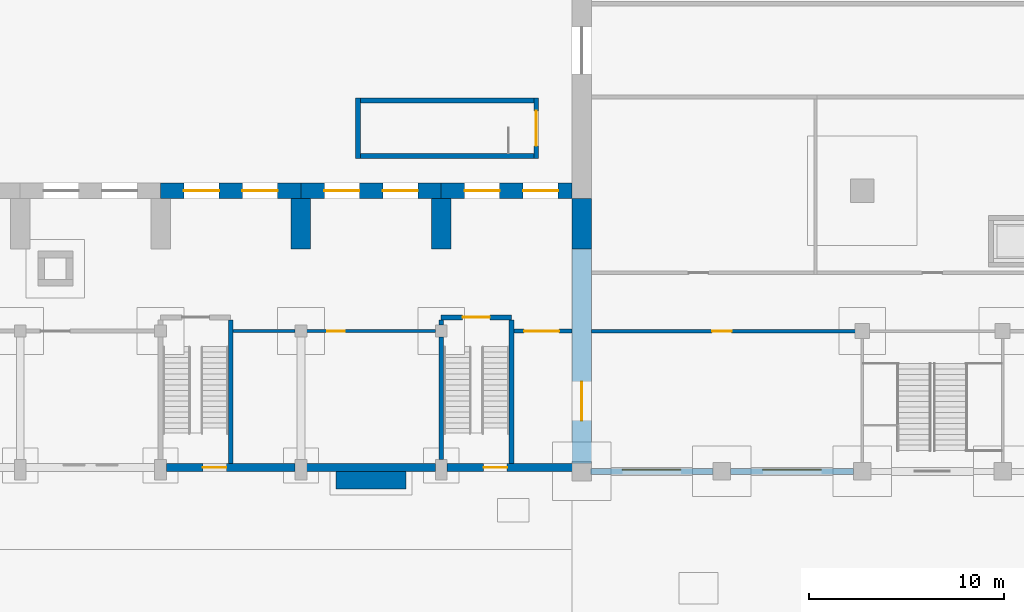
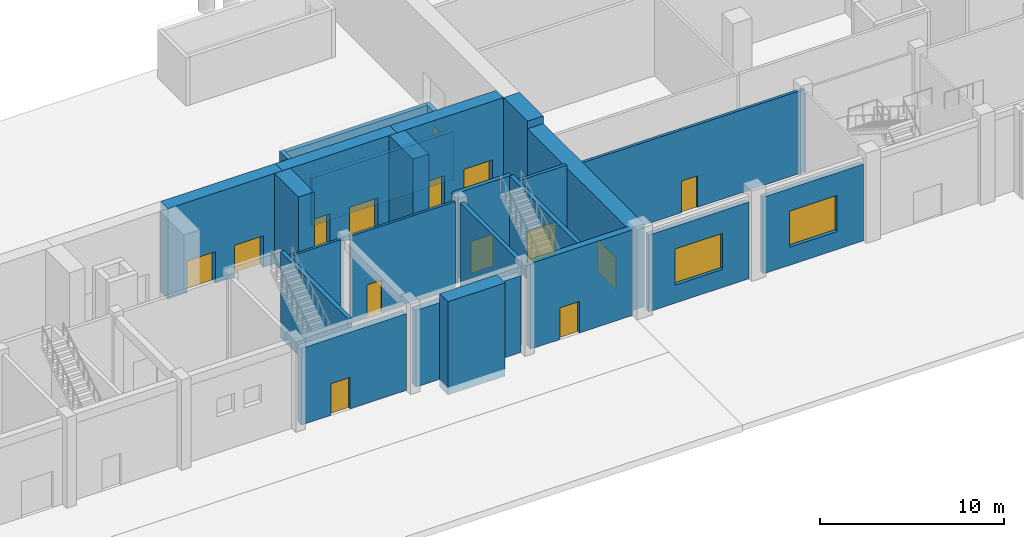
# One storey, part 47 of 70: 26 walls, 14 doors, 2 windows, 16 openings.
"""IFC4 building model written with IfcOpenShell, lengths in metres."""

from ifc_helpers import new_model, si_unit, direction, frame, frame_2d, origin, place, context, subcontext, project, spatial, rectangle, extrude, material, layer, layer_set, type_object, element, fill, save


model = new_model("IFC4")

# Units and contexts
model_context = context("Model", 3, precision=1e-05, world=origin(), true_north=direction((0.0, 1.0)))
body_context = subcontext(model_context, "Body", "Model", "MODEL_VIEW")
ifc_project = project(units=[si_unit("LENGTHUNIT", "METRE"), si_unit("AREAUNIT", "SQUARE_METRE"), si_unit("VOLUMEUNIT", "CUBIC_METRE"), si_unit("PLANEANGLEUNIT", "RADIAN"), si_unit("MASSUNIT", "GRAM", prefix="KILO")], contexts=[model_context])

# Site, building, storey
site_placement = place(None, origin())
site = spatial("IfcSite", under=ifc_project, at=site_placement, CompositionType="ELEMENT")
building_placement = place(site_placement, origin())
building = spatial("IfcBuilding", under=site, at=building_placement, Name="Vermilion Court Aquatics Centre", CompositionType="ELEMENT")
storey_placement = place(building_placement, origin())
storey = spatial("IfcBuildingStorey", under=building, at=storey_placement, Name="L00", CompositionType="ELEMENT", Elevation=0.0)

# Wall
ifc_material_1 = material(Name="Concrete 5000 psi", Category="concrete")
ifc_layer_1 = layer(ifc_material_1, 0.25)
ifc_layer_set_1 = layer_set([ifc_layer_1], Name="Hall stair enclosure wall 250")
wall_type_1 = type_object("IfcWallType", Name="Hall stair enclosure wall 250", PredefinedType="SOLIDWALL", material=ifc_layer_set_1)
wall_1_placement = place(storey_placement, frame((132.52490234375, 16.050048828125, 0.0), z_axis=(0.0, 0.0, 1.0), x_axis=(0.0, 1.0, 0.0)))
element("IfcWall", 1, at=wall_1_placement, inside=storey, type_object=wall_type_1, Name="Stair lobby 4 wall", PredefinedType="SOLIDWALL", context=body_context, shape_type="SweptSolid", body=[
    extrude(rectangle(XDim=3.099853515625, YDim=0.25, at=frame_2d((1.5498046875, 0.0))), origin(), (0.0, 0.0, 1.0), 3.199951171875),
])

# Wall, opening, door
wall_2_placement = place(storey_placement, frame((141.675048828125, 16.050048828125, 0.0), z_axis=(0.0, 0.0, 1.0), x_axis=(0.0, 1.0, 0.0)))
wall_2 = element("IfcWall", 2, at=wall_2_placement, inside=storey, type_object=wall_type_1, Name="Stair lobby 4 wall", PredefinedType="SOLIDWALL", context=body_context, shape_type="SweptSolid", body=[
    extrude(rectangle(XDim=3.099853515625, YDim=0.25, at=frame_2d((1.5498046875, 0.0))), origin(), (0.0, 0.0, 1.0), 3.199951171875),
])
opening_1_placement = place(wall_2_placement, frame((0.64990234375, 0.0, 0.0)))
opening_1 = element("IfcOpeningElement", 3, at=opening_1_placement, cuts=wall_2, Name="Opening H00-007", PredefinedType="OPENING", context=body_context, shape_type="SweptSolid", body=[
    extrude(rectangle(XDim=1.800048828125, YDim=2.10009765625, at=frame_2d((0.89990234375, 1.050048828125))), frame((0.0, 0.135009765625, 0.0), z_axis=(0.0, -1.0, 0.0), x_axis=(1.0, 0.0, 0.0)), (0.0, 0.0, 1.0), 0.27001953125),
])
ifc_material_2 = material(Name="Hollow metal")
door_type_1 = type_object("IfcDoorType", Name="Hall double door 1800x2100", OperationType="DOUBLE_DOOR_SINGLE_SWING", PredefinedType="DOOR", material=ifc_material_2)
door_1_placement = place(opening_1_placement, origin())
door_1 = element("IfcDoor", 4, at=door_1_placement, inside=storey, type_object=door_type_1, Name="Door from stair lobby 4 to the deck", OperationType="DOUBLE_DOOR_SINGLE_SWING", OverallHeight=2.10009765625, OverallWidth=1.800048828125, PredefinedType="DOOR", context=body_context, shape_type="SweptSolid", body=[
    extrude(rectangle(XDim=1.800048828125, YDim=2.10009765625, at=frame_2d((0.89990234375, 1.050048828125))), frame((0.0, 0.02490234375, 0.0), z_axis=(0.0, -1.0, 0.0), x_axis=(1.0, 0.0, 0.0)), (0.0, 0.0, 1.0), 0.050048828125),
])
fill(opening_1, door_1)

# Walls
for number, where, z_axis, x_axis, name in (
    (5, (132.64990234375, 16.175048828125, 0.0), (0.0, 0.0, 1.0), (1.0, 0.0, 0.0), "Stair lobby 4 wall"),
    (6, (132.64990234375, 19.02490234375, 0.0), (0.0, 0.0, 1.0), (1.0, 0.0, 0.0), "Stair lobby 4 wall"),
):
    element("IfcWall", number, at=place(storey_placement, frame(where, z_axis=z_axis, x_axis=x_axis)), inside=storey, type_object=wall_type_1, Name=name, PredefinedType="SOLIDWALL", context=body_context, shape_type="SweptSolid", body=[
        extrude(rectangle(XDim=8.900146484375, YDim=0.25, at=frame_2d((4.4501953125, 0.0))), origin(), (0.0, 0.0, 1.0), 3.199951171875),
    ])

# Wall, opening, door
ifc_material_3 = material(Name="Concrete masonry ASTM C90 Type I", Category="masonry")
ifc_layer_2 = layer(ifc_material_3, 0.175048828125)
ifc_layer_set_2 = layer_set([ifc_layer_2], Name="Podium corridor wall 175, 1 hr")
wall_type_2 = type_object("IfcWallType", Name="Podium corridor wall 175, 1 hr", PredefinedType="PARTITIONING", material=ifc_layer_set_2)
wall_3_placement = place(storey_placement, frame((144.5, 7.199951171875, 0.0), z_axis=(0.0, 0.0, 1.0), x_axis=(1.0, 0.0, 0.0)))
wall_3 = element("IfcWall", 7, at=wall_3_placement, inside=storey, type_object=wall_type_2, Name="Corridor wall", PredefinedType="PARTITIONING", context=body_context, shape_type="SweptSolid", body=[
    extrude(rectangle(XDim=13.96240234375, YDim=0.175048828125, at=frame_2d((6.981201171875, 0.0))), origin(), (0.0, 0.0, 1.0), 5.5),
])
opening_2_placement = place(wall_3_placement, frame((6.199951171875, 0.0, 0.0)))
opening_2 = element("IfcOpeningElement", 8, at=opening_2_placement, cuts=wall_3, Name="Opening P00-003", PredefinedType="OPENING", context=body_context, shape_type="SweptSolid", body=[
    extrude(rectangle(XDim=1.0, YDim=2.10009765625, at=frame_2d((0.5, 1.050048828125))), frame((0.0, 0.097412109375, 0.0), z_axis=(0.0, -1.0, 0.0), x_axis=(1.0, 0.0, 0.0)), (0.0, 0.0, 1.0), 0.195068359375),
])
ifc_material_4 = material(Name="Hollow metal")
door_type_2 = type_object("IfcDoorType", Name="Podium fire door leaf 1000x2100, 60 min", OperationType="NOTDEFINED", PredefinedType="DOOR", material=ifc_material_4)
door_2_placement = place(opening_2_placement, origin())
door_2 = element("IfcDoor", 9, at=door_2_placement, inside=storey, type_object=door_type_2, Name="Door", OperationType="SINGLE_SWING_LEFT", OverallHeight=2.10009765625, OverallWidth=1.0, PredefinedType="DOOR", context=body_context, shape_type="SweptSolid", body=[
    extrude(rectangle(XDim=1.0, YDim=2.10009765625, at=frame_2d((0.5, 1.050048828125))), frame((0.0, 0.02490234375, 0.0), z_axis=(0.0, -1.0, 0.0), x_axis=(1.0, 0.0, 0.0)), (0.0, 0.0, 1.0), 0.050048828125),
])
fill(opening_2, door_2)

# Wall, opening, window
ifc_material_5 = material(Name="Brick masonry", Category="masonry")
ifc_layer_3 = layer(ifc_material_5, 0.300048828125)
ifc_layer_set_3 = layer_set([ifc_layer_3], Name="Podium facade brick wall 300")
wall_type_3 = type_object("IfcWallType", Name="Podium facade brick wall 300", PredefinedType="SOLIDWALL", material=ifc_layer_set_3)
wall_4_placement = place(storey_placement, frame((144.449951171875, 0.0, 0.0), z_axis=(0.0, 0.0, 1.0), x_axis=(1.0, 0.0, 0.0)))
wall_4 = element("IfcWall", 10, at=wall_4_placement, inside=storey, type_object=wall_type_3, Name="Facade wall L00", PredefinedType="SOLIDWALL", context=body_context, shape_type="SweptSolid", body=[
    extrude(rectangle(XDim=6.300048828125, YDim=0.300048828125, at=frame_2d((3.14990234375, 0.0))), origin(), (0.0, 0.0, 1.0), 5.10009765625),
])
opening_3_placement = place(wall_4_placement, frame((1.64990234375, 0.0, 1.199951171875)))
opening_3 = element("IfcOpeningElement", 11, at=opening_3_placement, cuts=wall_4, Name="Opening PN1", PredefinedType="OPENING", context=body_context, shape_type="SweptSolid", body=[
    extrude(rectangle(XDim=3.0, YDim=2.39990234375, at=frame_2d((1.5, 1.199951171875))), frame((0.0, 0.159912109375, 0.0), z_axis=(0.0, -1.0, 0.0), x_axis=(1.0, 0.0, 0.0)), (0.0, 0.0, 1.0), 0.320068359375),
])
ifc_material_6 = material(Name="Aluminium 6063-T5", Category="aluminium")
window_type = type_object("IfcWindowType", Name="Podium window 3000x2400", PartitioningType="DOUBLE_PANEL_VERTICAL", PredefinedType="WINDOW", material=ifc_material_6)
window_1_placement = place(opening_3_placement, origin())
window_1 = element("IfcWindow", 12, at=window_1_placement, inside=storey, type_object=window_type, Name="Window L00", OverallHeight=2.39990234375, OverallWidth=3.0, PartitioningType="DOUBLE_PANEL_VERTICAL", PredefinedType="WINDOW", context=body_context, shape_type="SweptSolid", body=[
    extrude(rectangle(XDim=3.0, YDim=2.39990234375, at=frame_2d((1.5, 1.199951171875))), frame((0.0, 0.1201171875, 0.0), z_axis=(0.0, -1.0, 0.0), x_axis=(1.0, 0.0, 0.0)), (0.0, 0.0, 1.0), 0.06005859375),
])
fill(opening_3, window_1)

wall_5_placement = place(storey_placement, frame((151.64990234375, 0.0, 0.0), z_axis=(0.0, 0.0, 1.0), x_axis=(1.0, 0.0, 0.0)))
wall_5 = element("IfcWall", 13, at=wall_5_placement, inside=storey, type_object=wall_type_3, Name="Facade wall L00", PredefinedType="SOLIDWALL", context=body_context, shape_type="SweptSolid", body=[
    extrude(rectangle(XDim=6.300048828125, YDim=0.300048828125, at=frame_2d((3.14990234375, 0.0))), origin(), (0.0, 0.0, 1.0), 5.10009765625),
])
opening_4_placement = place(wall_5_placement, frame((1.64990234375, 0.0, 1.199951171875)))
opening_4 = element("IfcOpeningElement", 14, at=opening_4_placement, cuts=wall_5, Name="Opening PN1", PredefinedType="OPENING", context=body_context, shape_type="SweptSolid", body=[
    extrude(rectangle(XDim=3.0, YDim=2.39990234375, at=frame_2d((1.5, 1.199951171875))), frame((0.0, 0.159912109375, 0.0), z_axis=(0.0, -1.0, 0.0), x_axis=(1.0, 0.0, 0.0)), (0.0, 0.0, 1.0), 0.320068359375),
])
window_2_placement = place(opening_4_placement, origin())
window_2 = element("IfcWindow", 15, at=window_2_placement, inside=storey, type_object=window_type, Name="Window L00", OverallHeight=2.39990234375, OverallWidth=3.0, PartitioningType="DOUBLE_PANEL_VERTICAL", PredefinedType="WINDOW", context=body_context, shape_type="SweptSolid", body=[
    extrude(rectangle(XDim=3.0, YDim=2.39990234375, at=frame_2d((1.5, 1.199951171875))), frame((0.0, 0.1201171875, 0.0), z_axis=(0.0, -1.0, 0.0), x_axis=(1.0, 0.0, 0.0)), (0.0, 0.0, 1.0), 0.06005859375),
])
fill(opening_4, window_2)

# Wall, opening, door
ifc_material_7 = material(Name="Concrete 5000 psi", Category="concrete")
ifc_layer_4 = layer(ifc_material_7, 1.0)
ifc_layer_set_4 = layer_set([ifc_layer_4], Name="Podium wing end wall 1000")
wall_type_4 = type_object("IfcWallType", Name="Podium wing end wall 1000", PredefinedType="SOLIDWALL", material=ifc_layer_set_4)
wall_6_placement = place(storey_placement, frame((144.0, 0.39990234375, 0.0), z_axis=(0.0, 0.0, 1.0), x_axis=(0.0, 1.0, 0.0)))
wall_6 = element("IfcWall", 16, at=wall_6_placement, inside=storey, type_object=wall_type_4, Name="Wing end wall L00", PredefinedType="SOLIDWALL", context=body_context, shape_type="SweptSolid", body=[
    extrude(rectangle(XDim=11.0, YDim=1.0, at=frame_2d((5.5, 0.0))), origin(), (0.0, 0.0, 1.0), 5.5),
])
opening_5_placement = place(wall_6_placement, frame((2.199951171875, 0.0, 0.0)))
opening_5 = element("IfcOpeningElement", 17, at=opening_5_placement, cuts=wall_6, Name="Opening P00-001", PredefinedType="OPENING", context=body_context, shape_type="SweptSolid", body=[
    extrude(rectangle(XDim=2.0, YDim=2.10009765625, at=frame_2d((1.0, 1.050048828125))), frame((0.0, 0.510009765625, 0.0), z_axis=(0.0, -1.0, 0.0), x_axis=(1.0, 0.0, 0.0)), (0.0, 0.0, 1.0), 1.02001953125),
])
ifc_material_8 = material(Name="Hollow metal")
door_type_3 = type_object("IfcDoorType", Name="Podium fire door pair 2000x2100, 90 min", OperationType="DOUBLE_DOOR_SINGLE_SWING", PredefinedType="DOOR", material=ifc_material_8)
door_3_placement = place(opening_5_placement, origin())
door_3 = element("IfcDoor", 18, at=door_3_placement, inside=storey, type_object=door_type_3, Name="Service link door", OperationType="DOUBLE_DOOR_SINGLE_SWING", OverallHeight=2.10009765625, OverallWidth=2.0, PredefinedType="DOOR", context=body_context, shape_type="SweptSolid", body=[
    extrude(rectangle(XDim=2.0, YDim=2.10009765625, at=frame_2d((1.0, 1.050048828125))), frame((0.0, 0.02490234375, 0.0), z_axis=(0.0, -1.0, 0.0), x_axis=(1.0, 0.0, 0.0)), (0.0, 0.0, 1.0), 0.050048828125),
])
fill(opening_5, door_3)

# Walls
ifc_material_9 = material(Name="Concrete 5000 psi", Category="concrete")
ifc_layer_5 = layer(ifc_material_9, 1.0)
ifc_layer_set_5 = layer_set([ifc_layer_5], Name="Roof buttress pier")
wall_type_5 = type_object("IfcWallType", Name="Roof buttress pier", PredefinedType="SOLIDWALL", material=ifc_layer_set_5)
for number, where, z_axis, x_axis, name in (
    (19, (129.60009765625, 11.39990234375, 0.0), (0.0, 0.0, 1.0), (0.0, 1.0, 0.0), "Buttress pier BPS17"),
    (20, (136.800048828125, 11.39990234375, 0.0), (0.0, 0.0, 1.0), (0.0, 1.0, 0.0), "Buttress pier BPS18"),
    (21, (144.0, 11.39990234375, 0.0), (0.0, 0.0, 1.0), (0.0, 1.0, 0.0), "Buttress pier BPS19"),
):
    element("IfcWall", number, at=place(storey_placement, frame(where, z_axis=z_axis, x_axis=x_axis)), inside=storey, type_object=wall_type_5, Name=name, PredefinedType="SOLIDWALL", context=body_context, shape_type="SweptSolid", body=[
        extrude(rectangle(XDim=2.60009765625, YDim=1.0, at=frame_2d((1.300048828125, 0.0))), origin(), (0.0, 0.0, 1.0), 6.0),
    ])
ifc_material_10 = material(Name="Brick masonry", Category="masonry")
ifc_layer_6 = layer(ifc_material_10, 0.89990234375)
ifc_layer_set_6 = layer_set([ifc_layer_6], Name="South bay base wall 900")
wall_type_6 = type_object("IfcWallType", Name="South bay base wall 900", PredefinedType="SOLIDWALL", material=ifc_layer_set_6)
wall_7_placement = place(storey_placement, frame((131.39990234375, -0.449951171875, -0.5), z_axis=(0.0, 0.0, 1.0), x_axis=(1.0, 0.0, 0.0)))
element("IfcWall", 22, at=wall_7_placement, inside=storey, type_object=wall_type_6, Name="South bay base wall", PredefinedType="SOLIDWALL", context=body_context, shape_type="SweptSolid", body=[
    extrude(rectangle(XDim=3.60009765625, YDim=0.89990234375, at=frame_2d((1.800048828125, 0.0))), origin(), (0.0, 0.0, 1.0), 6.199951171875),
])

# Wall, opening, door
ifc_material_11 = material(Name="Brick masonry", Category="masonry")
ifc_layer_7 = layer(ifc_material_11, 0.39990234375)
ifc_layer_set_7 = layer_set([ifc_layer_7], Name="South brick facade wall 400")
wall_type_7 = type_object("IfcWallType", Name="South brick facade wall 400", PredefinedType="SOLIDWALL", material=ifc_layer_set_7)
wall_8_placement = place(storey_placement, frame((122.699951171875, 0.199951171875, 0.0), z_axis=(0.0, 0.0, 1.0), x_axis=(1.0, 0.0, 0.0)))
wall_8 = element("IfcWall", 23, at=wall_8_placement, inside=storey, type_object=wall_type_7, Name="Brick facade wall", PredefinedType="SOLIDWALL", context=body_context, shape_type="SweptSolid", body=[
    extrude(rectangle(XDim=6.60009765625, YDim=0.39990234375, at=frame_2d((3.300048828125, 0.0))), origin(), (0.0, 0.0, 1.0), 5.10009765625),
])
opening_6_placement = place(wall_8_placement, frame((1.875, 0.0, 0.0)))
opening_6 = element("IfcOpeningElement", 24, at=opening_6_placement, cuts=wall_8, Name="Opening S00-013", PredefinedType="OPENING", context=body_context, shape_type="SweptSolid", body=[
    extrude(rectangle(XDim=1.199951171875, YDim=2.10009765625, at=frame_2d((0.60009765625, 1.050048828125))), frame((0.0, 0.2099609375, 0.0), z_axis=(0.0, -1.0, 0.0), x_axis=(1.0, 0.0, 0.0)), (0.0, 0.0, 1.0), 0.419921875),
])
ifc_material_12 = material(Name="Hollow metal", Category="metal")
door_type_4 = type_object("IfcDoorType", Name="South stair discharge door 1200", OperationType="SINGLE_SWING_LEFT", PredefinedType="DOOR", material=ifc_material_12)
door_4_placement = place(opening_6_placement, frame((1.199951171875, 0.0, 0.0), z_axis=(0.0, 0.0, 1.0), x_axis=(-1.0, 0.0, 0.0)))
door_4 = element("IfcDoor", 25, at=door_4_placement, inside=storey, type_object=door_type_4, Name="Exit stair S7 street door", OperationType="SINGLE_SWING_LEFT", OverallHeight=2.10009765625, OverallWidth=1.199951171875, PredefinedType="DOOR", context=body_context, shape_type="SweptSolid", body=[
    extrude(rectangle(XDim=1.199951171875, YDim=2.10009765625, at=frame_2d((0.599853515625, 1.050048828125))), frame((0.0, 0.025146484375, 0.0), z_axis=(0.0, -1.0, 0.0), x_axis=(1.0, 0.0, 0.0)), (0.0, 0.0, 1.0), 0.050048828125),
])
fill(opening_6, door_4)

# Wall
wall_9_placement = place(storey_placement, frame((129.89990234375, 0.199951171875, 0.0), z_axis=(0.0, 0.0, 1.0), x_axis=(1.0, 0.0, 0.0)))
element("IfcWall", 26, at=wall_9_placement, inside=storey, type_object=wall_type_7, Name="Brick facade wall", PredefinedType="SOLIDWALL", context=body_context, shape_type="SweptSolid", body=[
    extrude(rectangle(XDim=6.60009765625, YDim=0.39990234375, at=frame_2d((3.300048828125, 0.0))), origin(), (0.0, 0.0, 1.0), 5.10009765625),
])

# Wall, opening, door
wall_10_placement = place(storey_placement, frame((137.10009765625, 0.199951171875, 0.0), z_axis=(0.0, 0.0, 1.0), x_axis=(1.0, 0.0, 0.0)))
wall_10 = element("IfcWall", 27, at=wall_10_placement, inside=storey, type_object=wall_type_7, Name="Brick facade wall", PredefinedType="SOLIDWALL", context=body_context, shape_type="SweptSolid", body=[
    extrude(rectangle(XDim=6.449951171875, YDim=0.39990234375, at=frame_2d((3.22509765625, 0.0))), origin(), (0.0, 0.0, 1.0), 5.699951171875),
])
opening_7_placement = place(wall_10_placement, frame((1.875, 0.0, 0.0)))
opening_7 = element("IfcOpeningElement", 28, at=opening_7_placement, cuts=wall_10, Name="Opening S00-014", PredefinedType="OPENING", context=body_context, shape_type="SweptSolid", body=[
    extrude(rectangle(XDim=1.199951171875, YDim=2.10009765625, at=frame_2d((0.60009765625, 1.050048828125))), frame((0.0, 0.2099609375, 0.0), z_axis=(0.0, -1.0, 0.0), x_axis=(1.0, 0.0, 0.0)), (0.0, 0.0, 1.0), 0.419921875),
])
door_5_placement = place(opening_7_placement, frame((1.199951171875, 0.0, 0.0), z_axis=(0.0, 0.0, 1.0), x_axis=(-1.0, 0.0, 0.0)))
door_5 = element("IfcDoor", 29, at=door_5_placement, inside=storey, type_object=door_type_4, Name="Exit stair S8 street door", OperationType="SINGLE_SWING_LEFT", OverallHeight=2.10009765625, OverallWidth=1.199951171875, PredefinedType="DOOR", context=body_context, shape_type="SweptSolid", body=[
    extrude(rectangle(XDim=1.199951171875, YDim=2.10009765625, at=frame_2d((0.599853515625, 1.050048828125))), frame((0.0, 0.025146484375, 0.0), z_axis=(0.0, -1.0, 0.0), x_axis=(1.0, 0.0, 0.0)), (0.0, 0.0, 1.0), 0.050048828125),
])
fill(opening_7, door_5)

ifc_material_13 = material(Name="Concrete masonry ASTM C90 Type I", Category="masonry")
ifc_layer_8 = layer(ifc_material_13, 0.199951171875)
ifc_layer_set_8 = layer_set([ifc_layer_8], Name="South fire-rated partition 200")
wall_type_8 = type_object("IfcWallType", Name="South fire-rated partition 200", PredefinedType="PARTITIONING", material=ifc_layer_set_8)
wall_11_placement = place(storey_placement, frame((140.52490234375, 7.199951171875, 0.0), z_axis=(0.0, 0.0, 1.0), x_axis=(1.0, 0.0, 0.0)))
wall_11 = element("IfcWall", 30, at=wall_11_placement, inside=storey, type_object=wall_type_8, Name="Wall", PredefinedType="PARTITIONING", context=body_context, shape_type="SweptSolid", body=[
    extrude(rectangle(XDim=2.97509765625, YDim=0.199951171875, at=frame_2d((1.487548828125, 0.0))), origin(), (0.0, 0.0, 1.0), 5.699951171875),
])
opening_8_placement = place(wall_11_placement, frame((0.52490234375, 0.0, 0.0)))
opening_8 = element("IfcOpeningElement", 31, at=opening_8_placement, cuts=wall_11, Name="Opening S00-034", PredefinedType="OPENING", context=body_context, shape_type="SweptSolid", body=[
    extrude(rectangle(XDim=1.800048828125, YDim=2.10009765625, at=frame_2d((0.89990234375, 1.050048828125))), frame((0.0, 0.10986328125, 0.0), z_axis=(0.0, -1.0, 0.0), x_axis=(1.0, 0.0, 0.0)), (0.0, 0.0, 1.0), 0.219970703125),
])
ifc_material_14 = material(Name="Hollow metal", Category="metal")
door_type_5 = type_object("IfcDoorType", Name="South lobby double door 1800", OperationType="DOUBLE_DOOR_SINGLE_SWING", PredefinedType="DOOR", material=ifc_material_14)
door_6_placement = place(opening_8_placement, origin())
door_6 = element("IfcDoor", 32, at=door_6_placement, inside=storey, type_object=door_type_5, Name="Service Link Lobby door", OperationType="DOUBLE_DOOR_SINGLE_SWING", OverallHeight=2.10009765625, OverallWidth=1.800048828125, PredefinedType="DOOR", context=body_context, shape_type="SweptSolid", body=[
    extrude(rectangle(XDim=1.800048828125, YDim=2.10009765625, at=frame_2d((0.89990234375, 1.050048828125))), frame((0.0, 0.02490234375, 0.0), z_axis=(0.0, -1.0, 0.0), x_axis=(1.0, 0.0, 0.0)), (0.0, 0.0, 1.0), 0.050048828125),
])
fill(opening_8, door_6)

# Walls
ifc_material_15 = material(Name="Concrete 5000 psi", Category="concrete")
ifc_layer_9 = layer(ifc_material_15, 0.25)
ifc_layer_set_9 = layer_set([ifc_layer_9], Name="South stair wall 250")
wall_type_9 = type_object("IfcWallType", Name="South stair wall 250", PredefinedType="SOLIDWALL", material=ifc_layer_set_9)
wall_12_placement = place(storey_placement, frame((126.0, 0.39990234375, 0.0), z_axis=(0.0, 0.0, 1.0), x_axis=(0.0, 1.0, 0.0)))
element("IfcWall", 33, at=wall_12_placement, inside=storey, type_object=wall_type_9, Name="Stair enclosure wall", PredefinedType="SOLIDWALL", context=body_context, shape_type="SweptSolid", body=[
    extrude(rectangle(XDim=7.375, YDim=0.25, at=frame_2d((3.6875, 0.0))), origin(), (0.0, 0.0, 1.0), 5.699951171875),
])
wall_13_placement = place(storey_placement, frame((136.800048828125, 0.60009765625, 0.0), z_axis=(0.0, 0.0, 1.0), x_axis=(0.0, 1.0, 0.0)))
element("IfcWall", 34, at=wall_13_placement, inside=storey, type_object=wall_type_9, Name="Stair enclosure wall", PredefinedType="SOLIDWALL", context=body_context, shape_type="SweptSolid", body=[
    extrude(rectangle(XDim=6.2998046875, YDim=0.25, at=frame_2d((3.14990234375, 0.0))), origin(), (0.0, 0.0, 1.0), 5.699951171875),
])
wall_14_placement = place(storey_placement, frame((136.800048828125, 7.5, 0.0), z_axis=(0.0, 0.0, 1.0), x_axis=(0.0, 1.0, 0.0)))
element("IfcWall", 35, at=wall_14_placement, inside=storey, type_object=wall_type_9, Name="Stair enclosure wall", PredefinedType="SOLIDWALL", context=body_context, shape_type="SweptSolid", body=[
    extrude(rectangle(XDim=0.27490234375, YDim=0.25, at=frame_2d((0.137451171875, 0.0))), origin(), (0.0, 0.0, 1.0), 5.699951171875),
])
wall_15_placement = place(storey_placement, frame((140.39990234375, 0.39990234375, 0.0), z_axis=(0.0, 0.0, 1.0), x_axis=(0.0, 1.0, 0.0)))
element("IfcWall", 36, at=wall_15_placement, inside=storey, type_object=wall_type_9, Name="Stair enclosure wall", PredefinedType="SOLIDWALL", context=body_context, shape_type="SweptSolid", body=[
    extrude(rectangle(XDim=7.375, YDim=0.25, at=frame_2d((3.6875, 0.0))), origin(), (0.0, 0.0, 1.0), 5.699951171875),
])

# Wall, opening, door
wall_16_placement = place(storey_placement, frame((136.800048828125, 7.89990234375, 0.0), z_axis=(0.0, 0.0, 1.0), x_axis=(1.0, 0.0, 0.0)))
wall_16 = element("IfcWall", 37, at=wall_16_placement, inside=storey, type_object=wall_type_9, Name="Stair enclosure wall", PredefinedType="SOLIDWALL", context=body_context, shape_type="SweptSolid", body=[
    extrude(rectangle(XDim=3.599853515625, YDim=0.25, at=frame_2d((1.7998046875, 0.0))), origin(), (0.0, 0.0, 1.0), 5.699951171875),
])
opening_9_placement = place(wall_16_placement, frame((1.10009765625, 0.0, 0.0)))
opening_9 = element("IfcOpeningElement", 38, at=opening_9_placement, cuts=wall_16, Name="Opening S00-022", PredefinedType="OPENING", context=body_context, shape_type="SweptSolid", body=[
    extrude(rectangle(XDim=1.39990234375, YDim=2.10009765625, at=frame_2d((0.699951171875, 1.050048828125))), frame((0.0, 0.135009765625, 0.0), z_axis=(0.0, -1.0, 0.0), x_axis=(1.0, 0.0, 0.0)), (0.0, 0.0, 1.0), 0.27001953125),
])
ifc_material_16 = material(Name="Hollow metal", Category="metal")
door_type_6 = type_object("IfcDoorType", Name="South stair door 1400", OperationType="DOUBLE_DOOR_SINGLE_SWING", PredefinedType="DOOR", material=ifc_material_16)
door_7_placement = place(opening_9_placement, origin())
door_7 = element("IfcDoor", 39, at=door_7_placement, inside=storey, type_object=door_type_6, Name="Exit stair S8 door", OperationType="DOUBLE_DOOR_SINGLE_SWING", OverallHeight=2.10009765625, OverallWidth=1.39990234375, PredefinedType="DOOR", context=body_context, shape_type="SweptSolid", body=[
    extrude(rectangle(XDim=1.39990234375, YDim=2.10009765625, at=frame_2d((0.699951171875, 1.050048828125))), frame((0.0, 0.02490234375, 0.0), z_axis=(0.0, -1.0, 0.0), x_axis=(1.0, 0.0, 0.0)), (0.0, 0.0, 1.0), 0.050048828125),
])
fill(opening_9, door_7)

# Wall
ifc_material_17 = material(Name="Concrete masonry ASTM C90 Type I", Category="masonry")
ifc_layer_10 = layer(ifc_material_17, 0.14990234375)
ifc_layer_set_10 = layer_set([ifc_layer_10], Name="South wet room partition 150")
wall_type_10 = type_object("IfcWallType", Name="South wet room partition 150", PredefinedType="PARTITIONING", material=ifc_layer_set_10)
wall_17_placement = place(storey_placement, frame((126.125, 7.199951171875, 0.0), z_axis=(0.0, 0.0, 1.0), x_axis=(1.0, 0.0, 0.0)))
element("IfcWall", 40, at=wall_17_placement, inside=storey, type_object=wall_type_10, Name="Wall", PredefinedType="PARTITIONING", context=body_context, shape_type="SweptSolid", body=[
    extrude(rectangle(XDim=3.175048828125, YDim=0.14990234375, at=frame_2d((1.58740234375, 0.0))), origin(), (0.0, 0.0, 1.0), 5.699951171875),
])

# Wall, opening, door
wall_18_placement = place(storey_placement, frame((129.89990234375, 7.199951171875, 0.0), z_axis=(0.0, 0.0, 1.0), x_axis=(1.0, 0.0, 0.0)))
wall_18 = element("IfcWall", 41, at=wall_18_placement, inside=storey, type_object=wall_type_10, Name="Wall", PredefinedType="PARTITIONING", context=body_context, shape_type="SweptSolid", body=[
    extrude(rectangle(XDim=6.60009765625, YDim=0.14990234375, at=frame_2d((3.300048828125, 0.0))), origin(), (0.0, 0.0, 1.0), 5.699951171875),
])
opening_10_placement = place(wall_18_placement, frame((1.050048828125, 0.0, 0.0)))
opening_10 = element("IfcOpeningElement", 42, at=opening_10_placement, cuts=wall_18, Name="Opening S00-033", PredefinedType="OPENING", context=body_context, shape_type="SweptSolid", body=[
    extrude(rectangle(XDim=0.89990234375, YDim=2.10009765625, at=frame_2d((0.449951171875, 1.050048828125))), frame((0.0, 0.0849609375, 0.0), z_axis=(0.0, -1.0, 0.0), x_axis=(1.0, 0.0, 0.0)), (0.0, 0.0, 1.0), 0.169921875),
])
ifc_material_18 = material(Name="Timber door leaf", Category="wood")
door_type_7 = type_object("IfcDoorType", Name="South wet room door 900", OperationType="NOTDEFINED", PredefinedType="DOOR", material=ifc_material_18)
door_8_placement = place(opening_10_placement, frame((0.89990234375, 0.0, 0.0), z_axis=(0.0, 0.0, 1.0), x_axis=(-1.0, 0.0, 0.0)))
door_8 = element("IfcDoor", 43, at=door_8_placement, inside=storey, type_object=door_type_7, Name="Men's Showers and WC door", OperationType="SINGLE_SWING_LEFT", OverallHeight=2.10009765625, OverallWidth=0.89990234375, PredefinedType="DOOR", context=body_context, shape_type="SweptSolid", body=[
    extrude(rectangle(XDim=0.89990234375, YDim=2.10009765625, at=frame_2d((0.449951171875, 1.050048828125))), frame((0.0, 0.025146484375, 0.0), z_axis=(0.0, -1.0, 0.0), x_axis=(1.0, 0.0, 0.0)), (0.0, 0.0, 1.0), 0.050048828125),
])
fill(opening_10, door_8)

# Wall, openings, doors
ifc_material_19 = material(Name="Concrete 5000 psi", Category="concrete")
ifc_layer_11 = layer(ifc_material_19, 0.800048828125)
ifc_layer_set_11 = layer_set([ifc_layer_11], Name="Tribune back wall 800")
wall_type_11 = type_object("IfcWallType", Name="Tribune back wall 800", PredefinedType="SOLIDWALL", material=ifc_layer_set_11)
wall_19_placement = place(storey_placement, frame((122.39990234375, 14.39990234375, 0.0), z_axis=(0.0, 0.0, 1.0), x_axis=(1.0, 0.0, 0.0)))
wall_19 = element("IfcWall", 44, at=wall_19_placement, inside=storey, type_object=wall_type_11, Name="South hall wall", PredefinedType="SOLIDWALL", context=body_context, shape_type="SweptSolid", body=[
    extrude(rectangle(XDim=7.2001953125, YDim=0.800048828125, at=frame_2d((3.60009765625, 0.0))), origin(), (0.0, 0.0, 1.0), 6.0),
])
opening_11_placement = place(wall_19_placement, frame((1.199951171875, 0.0, 0.0)))
opening_11 = element("IfcOpeningElement", 45, at=opening_11_placement, cuts=wall_19, Name="Opening T00-009", PredefinedType="OPENING", context=body_context, shape_type="SweptSolid", body=[
    extrude(rectangle(XDim=1.800048828125, YDim=2.10009765625, at=frame_2d((0.89990234375, 1.050048828125))), frame((0.0, 0.409912109375, 0.0), z_axis=(0.0, -1.0, 0.0), x_axis=(1.0, 0.0, 0.0)), (0.0, 0.0, 1.0), 0.820068359375),
])
opening_12_placement = place(wall_19_placement, frame((4.199951171875, 0.0, 0.0)))
opening_12 = element("IfcOpeningElement", 46, at=opening_12_placement, cuts=wall_19, Name="Opening T00-010", PredefinedType="OPENING", context=body_context, shape_type="SweptSolid", body=[
    extrude(rectangle(XDim=1.800048828125, YDim=2.10009765625, at=frame_2d((0.89990234375, 1.050048828125))), frame((0.0, 0.409912109375, 0.0), z_axis=(0.0, -1.0, 0.0), x_axis=(1.0, 0.0, 0.0)), (0.0, 0.0, 1.0), 0.820068359375),
])
ifc_material_20 = material(Name="Hollow metal", Category="metal")
door_type_8 = type_object("IfcDoorType", Name="Tribune double door 1800", OperationType="DOUBLE_DOOR_SINGLE_SWING", PredefinedType="DOOR", material=ifc_material_20)
door_9_placement = place(opening_11_placement, frame((1.800048828125, 0.0, 0.0), z_axis=(0.0, 0.0, 1.0), x_axis=(-1.0, 0.0, 0.0)))
door_9 = element("IfcDoor", 47, at=door_9_placement, inside=storey, type_object=door_type_8, Name="Pool deck door", OperationType="DOUBLE_DOOR_SINGLE_SWING", OverallHeight=2.10009765625, OverallWidth=1.800048828125, PredefinedType="DOOR", context=body_context, shape_type="SweptSolid", body=[
    extrude(rectangle(XDim=1.800048828125, YDim=2.10009765625, at=frame_2d((0.900146484375, 1.050048828125))), frame((0.0, 0.025146484375, 0.0), z_axis=(0.0, -1.0, 0.0), x_axis=(1.0, 0.0, 0.0)), (0.0, 0.0, 1.0), 0.050048828125),
])
fill(opening_11, door_9)
door_10_placement = place(opening_12_placement, frame((1.800048828125, 0.0, 0.0), z_axis=(0.0, 0.0, 1.0), x_axis=(-1.0, 0.0, 0.0)))
door_10 = element("IfcDoor", 48, at=door_10_placement, inside=storey, type_object=door_type_8, Name="Pool deck door", OperationType="DOUBLE_DOOR_SINGLE_SWING", OverallHeight=2.10009765625, OverallWidth=1.800048828125, PredefinedType="DOOR", context=body_context, shape_type="SweptSolid", body=[
    extrude(rectangle(XDim=1.800048828125, YDim=2.10009765625, at=frame_2d((0.900146484375, 1.050048828125))), frame((0.0, 0.025146484375, 0.0), z_axis=(0.0, -1.0, 0.0), x_axis=(1.0, 0.0, 0.0)), (0.0, 0.0, 1.0), 0.050048828125),
])
fill(opening_12, door_10)

wall_20_placement = place(storey_placement, frame((129.60009765625, 14.39990234375, 0.0), z_axis=(0.0, 0.0, 1.0), x_axis=(1.0, 0.0, 0.0)))
wall_20 = element("IfcWall", 49, at=wall_20_placement, inside=storey, type_object=wall_type_11, Name="South hall wall", PredefinedType="SOLIDWALL", context=body_context, shape_type="SweptSolid", body=[
    extrude(rectangle(XDim=7.199951171875, YDim=0.800048828125, at=frame_2d((3.60009765625, 0.0))), origin(), (0.0, 0.0, 1.0), 6.0),
])
opening_13_placement = place(wall_20_placement, frame((1.199951171875, 0.0, 0.0)))
opening_13 = element("IfcOpeningElement", 50, at=opening_13_placement, cuts=wall_20, Name="Opening T00-011", PredefinedType="OPENING", context=body_context, shape_type="SweptSolid", body=[
    extrude(rectangle(XDim=1.800048828125, YDim=2.10009765625, at=frame_2d((0.89990234375, 1.050048828125))), frame((0.0, 0.409912109375, 0.0), z_axis=(0.0, -1.0, 0.0), x_axis=(1.0, 0.0, 0.0)), (0.0, 0.0, 1.0), 0.820068359375),
])
opening_14_placement = place(wall_20_placement, frame((4.199951171875, 0.0, 0.0)))
opening_14 = element("IfcOpeningElement", 51, at=opening_14_placement, cuts=wall_20, Name="Opening T00-012", PredefinedType="OPENING", context=body_context, shape_type="SweptSolid", body=[
    extrude(rectangle(XDim=1.800048828125, YDim=2.10009765625, at=frame_2d((0.89990234375, 1.050048828125))), frame((0.0, 0.409912109375, 0.0), z_axis=(0.0, -1.0, 0.0), x_axis=(1.0, 0.0, 0.0)), (0.0, 0.0, 1.0), 0.820068359375),
])
door_11_placement = place(opening_13_placement, frame((1.800048828125, 0.0, 0.0), z_axis=(0.0, 0.0, 1.0), x_axis=(-1.0, 0.0, 0.0)))
door_11 = element("IfcDoor", 52, at=door_11_placement, inside=storey, type_object=door_type_8, Name="Pool deck door", OperationType="DOUBLE_DOOR_SINGLE_SWING", OverallHeight=2.10009765625, OverallWidth=1.800048828125, PredefinedType="DOOR", context=body_context, shape_type="SweptSolid", body=[
    extrude(rectangle(XDim=1.800048828125, YDim=2.10009765625, at=frame_2d((0.900146484375, 1.050048828125))), frame((0.0, 0.025146484375, 0.0), z_axis=(0.0, -1.0, 0.0), x_axis=(1.0, 0.0, 0.0)), (0.0, 0.0, 1.0), 0.050048828125),
])
fill(opening_13, door_11)
door_12_placement = place(opening_14_placement, frame((1.800048828125, 0.0, 0.0), z_axis=(0.0, 0.0, 1.0), x_axis=(-1.0, 0.0, 0.0)))
door_12 = element("IfcDoor", 53, at=door_12_placement, inside=storey, type_object=door_type_8, Name="Pool deck door", OperationType="DOUBLE_DOOR_SINGLE_SWING", OverallHeight=2.10009765625, OverallWidth=1.800048828125, PredefinedType="DOOR", context=body_context, shape_type="SweptSolid", body=[
    extrude(rectangle(XDim=1.800048828125, YDim=2.10009765625, at=frame_2d((0.900146484375, 1.050048828125))), frame((0.0, 0.025146484375, 0.0), z_axis=(0.0, -1.0, 0.0), x_axis=(1.0, 0.0, 0.0)), (0.0, 0.0, 1.0), 0.050048828125),
])
fill(opening_14, door_12)

wall_21_placement = place(storey_placement, frame((136.800048828125, 14.39990234375, 0.0), z_axis=(0.0, 0.0, 1.0), x_axis=(1.0, 0.0, 0.0)))
wall_21 = element("IfcWall", 54, at=wall_21_placement, inside=storey, type_object=wall_type_11, Name="South hall wall", PredefinedType="SOLIDWALL", context=body_context, shape_type="SweptSolid", body=[
    extrude(rectangle(XDim=6.699951171875, YDim=0.800048828125, at=frame_2d((3.35009765625, 0.0))), origin(), (0.0, 0.0, 1.0), 6.0),
])
opening_15_placement = place(wall_21_placement, frame((1.199951171875, 0.0, 0.0)))
opening_15 = element("IfcOpeningElement", 55, at=opening_15_placement, cuts=wall_21, Name="Opening T00-013", PredefinedType="OPENING", context=body_context, shape_type="SweptSolid", body=[
    extrude(rectangle(XDim=1.800048828125, YDim=2.10009765625, at=frame_2d((0.89990234375, 1.050048828125))), frame((0.0, 0.409912109375, 0.0), z_axis=(0.0, -1.0, 0.0), x_axis=(1.0, 0.0, 0.0)), (0.0, 0.0, 1.0), 0.820068359375),
])
opening_16_placement = place(wall_21_placement, frame((4.199951171875, 0.0, 0.0)))
opening_16 = element("IfcOpeningElement", 56, at=opening_16_placement, cuts=wall_21, Name="Opening T00-014", PredefinedType="OPENING", context=body_context, shape_type="SweptSolid", body=[
    extrude(rectangle(XDim=1.800048828125, YDim=2.10009765625, at=frame_2d((0.89990234375, 1.050048828125))), frame((0.0, 0.409912109375, 0.0), z_axis=(0.0, -1.0, 0.0), x_axis=(1.0, 0.0, 0.0)), (0.0, 0.0, 1.0), 0.820068359375),
])
door_13_placement = place(opening_15_placement, frame((1.800048828125, 0.0, 0.0), z_axis=(0.0, 0.0, 1.0), x_axis=(-1.0, 0.0, 0.0)))
door_13 = element("IfcDoor", 57, at=door_13_placement, inside=storey, type_object=door_type_8, Name="Pool deck door", OperationType="DOUBLE_DOOR_SINGLE_SWING", OverallHeight=2.10009765625, OverallWidth=1.800048828125, PredefinedType="DOOR", context=body_context, shape_type="SweptSolid", body=[
    extrude(rectangle(XDim=1.800048828125, YDim=2.10009765625, at=frame_2d((0.900146484375, 1.050048828125))), frame((0.0, 0.025146484375, 0.0), z_axis=(0.0, -1.0, 0.0), x_axis=(1.0, 0.0, 0.0)), (0.0, 0.0, 1.0), 0.050048828125),
])
fill(opening_15, door_13)
door_14_placement = place(opening_16_placement, frame((1.800048828125, 0.0, 0.0), z_axis=(0.0, 0.0, 1.0), x_axis=(-1.0, 0.0, 0.0)))
door_14 = element("IfcDoor", 58, at=door_14_placement, inside=storey, type_object=door_type_8, Name="Pool deck door", OperationType="DOUBLE_DOOR_SINGLE_SWING", OverallHeight=2.10009765625, OverallWidth=1.800048828125, PredefinedType="DOOR", context=body_context, shape_type="SweptSolid", body=[
    extrude(rectangle(XDim=1.800048828125, YDim=2.10009765625, at=frame_2d((0.900146484375, 1.050048828125))), frame((0.0, 0.025146484375, 0.0), z_axis=(0.0, -1.0, 0.0), x_axis=(1.0, 0.0, 0.0)), (0.0, 0.0, 1.0), 0.050048828125),
])
fill(opening_16, door_14)

save(model, "model.ifc")
